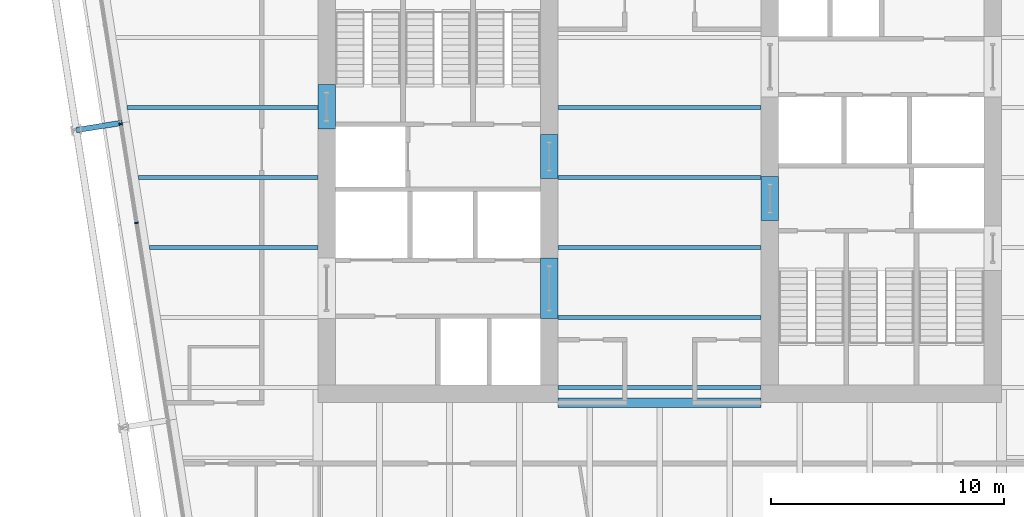
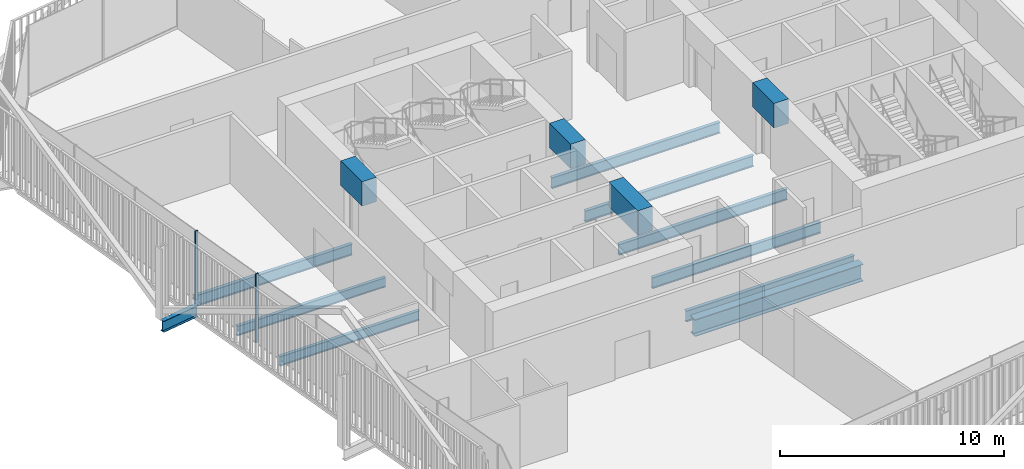
# One storey, part 6 of 22: 14 beams, 2 members, 1 element without a shape of its own.
"""IFC4 building model written with IfcOpenShell, lengths in metres."""

from ifc_helpers import new_model, si_unit, direction, frame, origin, origin_2d, place, context, subcontext, project, spatial, rectangle, i_section, extrude, material, layer, layer_set, material_profile, profile_set, type_object, element, aggregate, save


model = new_model("IFC4")

# Units and contexts
model_context = context("Model", 3, precision=1e-05, world=origin(), true_north=direction((0.0, 1.0)))
body_context = subcontext(model_context, "Body", "Model", "MODEL_VIEW")
ifc_project = project(units=[si_unit("LENGTHUNIT", "METRE"), si_unit("AREAUNIT", "SQUARE_METRE"), si_unit("VOLUMEUNIT", "CUBIC_METRE"), si_unit("PLANEANGLEUNIT", "RADIAN"), si_unit("MASSUNIT", "GRAM", prefix="KILO")], contexts=[model_context])

# Site, building, storey
site_placement = place(None, origin())
site = spatial("IfcSite", under=ifc_project, at=site_placement, CompositionType="ELEMENT")
building_placement = place(site_placement, origin())
building = spatial("IfcBuilding", under=site, at=building_placement, Name="Millrace Tower", CompositionType="ELEMENT")
storey_placement = place(building_placement, frame((0.0, 0.0, 160.699951171875)))
storey = spatial("IfcBuildingStorey", under=building, at=storey_placement, Name="L36", CompositionType="ELEMENT", Elevation=160.699951171875)

# Curtain wall, members
ifc_material_1 = material(Name="Aluminium and glass", Category="aluminium")
ifc_layer = layer(ifc_material_1, 0.14990234375)
ifc_layer_set = layer_set([ifc_layer], Name="Aluminium and glass")
curtain_wall_type = type_object("IfcCurtainWallType", Name="CW-1 office vision curtain wall", PredefinedType="NOTDEFINED", material=ifc_layer_set)
curtain_wall_placement = place(storey_placement, origin())
curtain_wall = element("IfcCurtainWall", 1, at=curtain_wall_placement, inside=storey, type_object=curtain_wall_type, Name="Curtain wall C-F08 L36", PredefinedType="NOTDEFINED")
ifc_material_2 = material(Name="Aluminium", Category="aluminium")
ifc_material_profile_1 = material_profile(ifc_material_2, rectangle(XDim=0.06494140625, YDim=0.14990234375, at=origin_2d()))
ifc_profile_set_1 = profile_set([ifc_material_profile_1], Name="Aluminium")
member_type = type_object("IfcMemberType", Name="CW-1 office vision curtain wall mullion", PredefinedType="MULLION", material=ifc_profile_set_1)
member_1_placement = place(storey_placement, frame((-23.088623046875, 2.300537109375, 0.14013671875), z_axis=(0.0, 0.0, 1.0), x_axis=(0.15643447328, -0.98768833929, 0.0)))
member_1 = element("IfcMember", 2, at=member_1_placement, type_object=member_type, Name="CW1 mullion C-F08.4", PredefinedType="MULLION", context=body_context, shape_type="SweptSolid", body=[
    extrude(rectangle(XDim=0.06494140625, YDim=0.14990234375, at=origin_2d()), origin(), (0.0, 0.0, 1.0), 3.760009765625),
])
member_2_placement = place(storey_placement, frame((-22.416015625, -1.946533203125, 0.14013671875), z_axis=(0.0, 0.0, 1.0), x_axis=(0.15643447328, -0.98768833929, 0.0)))
member_2 = element("IfcMember", 3, at=member_2_placement, type_object=member_type, Name="CW1 mullion C-F08.5", PredefinedType="MULLION", context=body_context, shape_type="SweptSolid", body=[
    extrude(rectangle(XDim=0.06494140625, YDim=0.14990234375, at=origin_2d()), origin(), (0.0, 0.0, 1.0), 3.760009765625),
])
aggregate(curtain_wall, [member_1, member_2])

# Beams
ifc_material_3 = material(Name="Concrete C70", Category="concrete")
ifc_material_profile_2 = material_profile(ifc_material_3, rectangle(XDim=0.75, YDim=1.340087890625, at=origin_2d()))
ifc_profile_set_2 = profile_set([ifc_material_profile_2], Name="Concrete C70")
beam_type_1 = type_object("IfcBeamType", Name="Coupling beam 750 x 1340 Concrete C70, 1300 opening", PredefinedType="BEAM", material=ifc_profile_set_2)
beam_1_placement = place(storey_placement, frame((-14.27490234375, 2.080078125, 3.070068359375), z_axis=(0.0, 1.0, 0.0), x_axis=(-1.0, 0.0, 0.0)))
element("IfcBeam", 4, at=beam_1_placement, inside=storey, type_object=beam_type_1, Name="Coupling beam W L36", PredefinedType="BEAM", context=body_context, shape_type="SweptSolid", body=[
    extrude(rectangle(XDim=0.75, YDim=1.340087890625, at=origin_2d()), origin(), (0.0, 0.0, 1.0), 1.89990234375),
])
for number, where, z_axis, x_axis, name in (
    (5, (-4.72509765625, -0.050048828125, 3.070068359375), (0.0, 1.0, 0.0), (-1.0, 0.0, 0.0), "Coupling beam W L36"),
    (6, (4.72509765625, 0.050048828125, 3.070068359375), (0.0, -1.0, 0.0), (1.0, 0.0, 0.0), "Coupling beam E L36"),
):
    element("IfcBeam", number, at=place(storey_placement, frame(where, z_axis=z_axis, x_axis=x_axis)), inside=storey, type_object=beam_type_1, Name=name, PredefinedType="BEAM", context=body_context, shape_type="SweptSolid", body=[
        extrude(rectangle(XDim=0.75, YDim=1.340087890625, at=origin_2d()), origin(), (0.0, 0.0, 1.0), 1.900146484375),
    ])
ifc_material_4 = material(Name="Concrete C70", Category="concrete")
ifc_material_profile_3 = material_profile(ifc_material_4, rectangle(XDim=0.75, YDim=1.340087890625, at=origin_2d()))
ifc_profile_set_3 = profile_set([ifc_material_profile_3], Name="Concrete C70")
beam_type_2 = type_object("IfcBeamType", Name="Coupling beam 750 x 1340 Concrete C70, 2000 opening", PredefinedType="BEAM", material=ifc_profile_set_3)
beam_2_placement = place(storey_placement, frame((-4.72509765625, -6.050048828125, 3.070068359375), z_axis=(0.0, 1.0, 0.0), x_axis=(-1.0, 0.0, 0.0)))
element("IfcBeam", 7, at=beam_2_placement, inside=storey, type_object=beam_type_2, Name="Coupling beam W L36", PredefinedType="BEAM", context=body_context, shape_type="SweptSolid", body=[
    extrude(rectangle(XDim=0.75, YDim=1.340087890625, at=origin_2d()), origin(), (0.0, 0.0, 1.0), 2.60009765625),
])
ifc_material_5 = material(Name="Steel ASTM A992 Grade 50", Category="steel")
ifc_material_profile_4 = material_profile(ifc_material_5, i_section(OverallWidth=0.1650390625, OverallDepth=0.52587890625, WebThickness=0.0087890625, FlangeThickness=0.011474609375, FilletRadius=0.0126953125, at=origin_2d()))
ifc_profile_set_4 = profile_set([ifc_material_profile_4], Name="Steel ASTM A992 Grade 50")
beam_type_3 = type_object("IfcBeamType", Name="Floor beam W21x44", PredefinedType="JOIST", material=ifc_profile_set_4)
beam_3_placement = place(storey_placement, frame((-21.862060546875, -3.0, -0.4228515625), z_axis=(1.0, 0.0, 0.0), x_axis=(0.0, 1.0, 0.0)))
element("IfcBeam", 8, at=beam_3_placement, inside=storey, type_object=beam_type_3, Name="BM-C-L36-S1-S017", PredefinedType="JOIST", context=body_context, shape_type="SweptSolid", body=[
    extrude(i_section(OverallWidth=0.1650390625, OverallDepth=0.52587890625, WebThickness=0.0087890625, FlangeThickness=0.011474609375, FilletRadius=0.0126953125, at=origin_2d()), origin(), (0.0, 0.0, 1.0), 7.212158203125),
])
beam_4_placement = place(storey_placement, frame((-22.337158203125, 0.0, -0.4228515625), z_axis=(1.0, 0.0, 0.0), x_axis=(0.0, 1.0, 0.0)))
element("IfcBeam", 9, at=beam_4_placement, inside=storey, type_object=beam_type_3, Name="BM-C-L36-S1-S020", PredefinedType="JOIST", context=body_context, shape_type="SweptSolid", body=[
    extrude(i_section(OverallWidth=0.1650390625, OverallDepth=0.52587890625, WebThickness=0.0087890625, FlangeThickness=0.011474609375, FilletRadius=0.0126953125, at=origin_2d()), origin(), (0.0, 0.0, 1.0), 7.687255859375),
])
ifc_material_6 = material(Name="Steel ASTM A992 Grade 50", Category="steel")
ifc_material_profile_5 = material_profile(ifc_material_6, i_section(OverallWidth=0.177978515625, OverallDepth=0.599365234375, WebThickness=0.010009765625, FlangeThickness=0.012939453125, FilletRadius=0.012939453125, at=origin_2d()))
ifc_profile_set_5 = profile_set([ifc_material_profile_5], Name="Steel ASTM A992 Grade 50")
beam_type_4 = type_object("IfcBeamType", Name="Floor beam W24x55", PredefinedType="JOIST", material=ifc_profile_set_5)
for number, where, z_axis, x_axis, name in (
    (10, (-4.35009765625, -9.0, -0.459716796875), (1.0, 0.0, 0.0), (0.0, 1.0, 0.0), "BM-C-L36-S1-S010"),
    (11, (-4.35009765625, -6.0, -0.459716796875), (1.0, 0.0, 0.0), (0.0, 1.0, 0.0), "BM-C-L36-S1-S013"),
    (12, (-4.35009765625, -3.0, -0.459716796875), (1.0, 0.0, 0.0), (0.0, 1.0, 0.0), "BM-C-L36-S1-S016"),
    (13, (-4.35009765625, 0.0, -0.459716796875), (1.0, 0.0, 0.0), (0.0, 1.0, 0.0), "BM-C-L36-S1-S019"),
    (14, (-4.35009765625, 3.0, -0.459716796875), (1.0, 0.0, 0.0), (0.0, 1.0, 0.0), "BM-C-L36-S1-S022"),
):
    element("IfcBeam", number, at=place(storey_placement, frame(where, z_axis=z_axis, x_axis=x_axis)), inside=storey, type_object=beam_type_4, Name=name, PredefinedType="JOIST", context=body_context, shape_type="SweptSolid", body=[
        extrude(i_section(OverallWidth=0.177978515625, OverallDepth=0.599365234375, WebThickness=0.010009765625, FlangeThickness=0.012939453125, FilletRadius=0.012939453125, at=origin_2d()), origin(), (0.0, 0.0, 1.0), 8.7001953125),
    ])
beam_5_placement = place(storey_placement, frame((-22.812255859375, 3.0, -0.459716796875), z_axis=(1.0, 0.0, 0.0), x_axis=(0.0, 1.0, 0.0)))
element("IfcBeam", 15, at=beam_5_placement, inside=storey, type_object=beam_type_4, Name="BM-C-L36-S1-S023", PredefinedType="JOIST", context=body_context, shape_type="SweptSolid", body=[
    extrude(i_section(OverallWidth=0.177978515625, OverallDepth=0.599365234375, WebThickness=0.010009765625, FlangeThickness=0.012939453125, FilletRadius=0.012939453125, at=origin_2d()), origin(), (0.0, 0.0, 1.0), 8.162353515625),
])
ifc_material_7 = material(Name="Steel ASTM A992 Grade 50", Category="steel")
ifc_material_profile_6 = material_profile(ifc_material_7, i_section(OverallWidth=0.419189453125, OverallDepth=0.927001953125, WebThickness=0.019287109375, FlangeThickness=0.031982421875, FilletRadius=0.024169921875, at=origin_2d()))
ifc_profile_set_6 = profile_set([ifc_material_profile_6], Name="Steel ASTM A992 Grade 50")
beam_type_5 = type_object("IfcBeamType", Name="Girder short span W36x231", PredefinedType="BEAM", material=ifc_profile_set_6)
beam_6_placement = place(storey_placement, frame((-4.35009765625, -9.64990234375, -0.62353515625), z_axis=(1.0, 0.0, 0.0), x_axis=(0.0, 1.0, 0.0)))
element("IfcBeam", 16, at=beam_6_placement, inside=storey, type_object=beam_type_5, Name="BM-C-L36-S1-G062", PredefinedType="BEAM", context=body_context, shape_type="SweptSolid", body=[
    extrude(i_section(OverallWidth=0.419189453125, OverallDepth=0.927001953125, WebThickness=0.019287109375, FlangeThickness=0.031982421875, FilletRadius=0.024169921875, at=origin_2d()), origin(), (0.0, 0.0, 1.0), 8.7001953125),
])
ifc_material_8 = material(Name="Steel ASTM A992 Grade 50", Category="steel")
ifc_material_profile_7 = material_profile(ifc_material_8, i_section(OverallWidth=0.23046875, OverallDepth=0.6171875, WebThickness=0.01318359375, FlangeThickness=0.022216796875, FilletRadius=0.012939453125, at=origin_2d()))
ifc_profile_set_7 = profile_set([ifc_material_profile_7], Name="Steel ASTM A992 Grade 50")
beam_type_6 = type_object("IfcBeamType", Name="Link beam W24x94", PredefinedType="BEAM", material=ifc_profile_set_7)
beam_7_placement = place(storey_placement, frame((-23.019775390625, 2.344482421875, -0.468505859375), z_axis=(-0.987678691416, -0.156495375404, 0.0), x_axis=(0.156495375404, -0.987678691416, 0.0)))
element("IfcBeam", 17, at=beam_7_placement, inside=storey, type_object=beam_type_6, Name="LNK-C-L36-S1-03", PredefinedType="BEAM", context=body_context, shape_type="SweptSolid", body=[
    extrude(i_section(OverallWidth=0.23046875, OverallDepth=0.6171875, WebThickness=0.01318359375, FlangeThickness=0.022216796875, FilletRadius=0.012939453125, at=origin_2d()), origin(), (0.0, 0.0, 1.0), 2.0),
])

save(model, "model.ifc")
